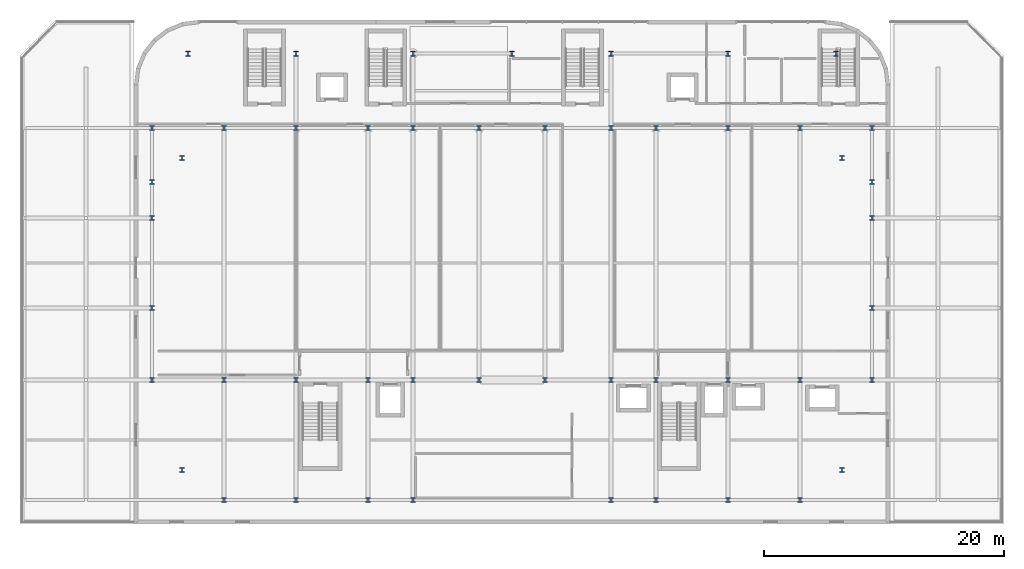
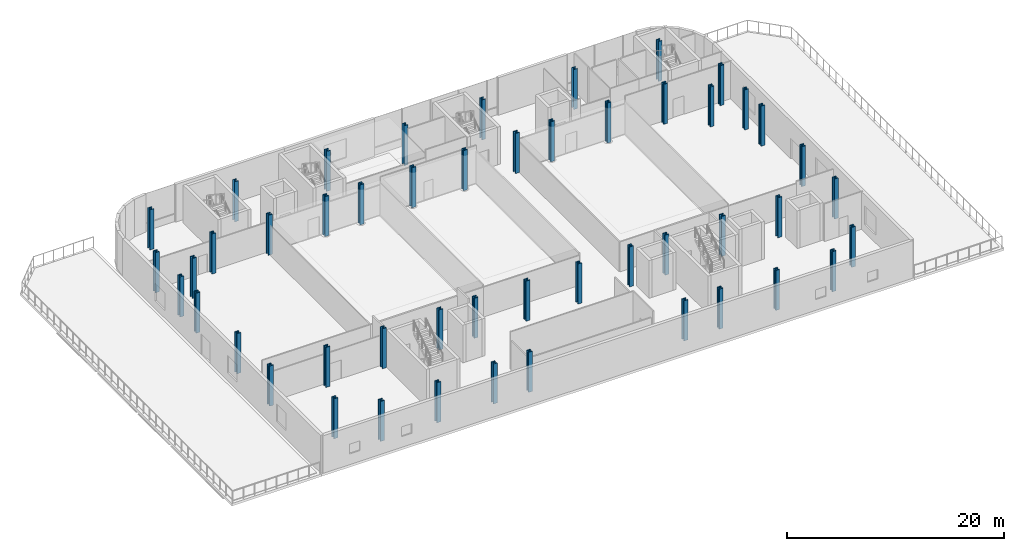
# One storey, part 1 of 26: 49 columns.
"""IFC4 building model written with IfcOpenShell, lengths in metres."""

from ifc_helpers import new_model, si_unit, direction, frame, origin, origin_2d, place, context, subcontext, project, spatial, i_section, extrude, material, material_profile, profile_set, type_object, element, save


model = new_model("IFC4")

# Units and contexts
model_context = context("Model", 3, precision=1e-05, world=origin(), true_north=direction((0.0, 1.0)))
body_context = subcontext(model_context, "Body", "Model", "MODEL_VIEW")
ifc_project = project(units=[si_unit("LENGTHUNIT", "METRE"), si_unit("AREAUNIT", "SQUARE_METRE"), si_unit("VOLUMEUNIT", "CUBIC_METRE"), si_unit("PLANEANGLEUNIT", "RADIAN"), si_unit("MASSUNIT", "GRAM", prefix="KILO")], contexts=[model_context])

# Site, building, storey
site_placement = place(None, origin())
site = spatial("IfcSite", under=ifc_project, at=site_placement, CompositionType="ELEMENT")
building_placement = place(site_placement, origin())
building = spatial("IfcBuilding", under=site, at=building_placement, Name="Brevholm Reach", CompositionType="ELEMENT")
storey_placement = place(building_placement, frame((0.0, 0.0, 18.0)))
storey = spatial("IfcBuildingStorey", under=building, at=storey_placement, Name="L04", CompositionType="ELEMENT", Elevation=18.0)

# Columns
ifc_material_1 = material(Name="Structural Steel S460ML", Category="steel")
ifc_material_profile_1 = material_profile(ifc_material_1, i_section(OverallWidth=0.4169921875, OverallDepth=0.430908203125, WebThickness=0.06494140625, FlangeThickness=0.10595703125, FilletRadius=0.014892578125, at=origin_2d()), Name="HD 400x900")
ifc_profile_set_1 = profile_set([ifc_material_profile_1], Name="Structural Steel S460ML")
column_type_1 = type_object("IfcColumnType", Name="COL-HD1B", PredefinedType="COLUMN", material=ifc_profile_set_1)
for number, where, z_axis, x_axis, name in (
    (1, (0.0, 10.0, 0.0), (0.0, 0.0, 1.0), (1.0, 0.0, 0.0), "L04 Column 01"),
    (2, (0.0, 16.0, 0.0), (0.0, 0.0, 1.0), (1.0, 0.0, 0.0), "L04 Column 02"),
    (3, (0.0, 23.5, 0.0), (0.0, 0.0, 1.0), (1.0, 0.0, 0.0), "L04 Column 03"),
    (4, (0.0, 26.5, 0.0), (0.0, 0.0, 1.0), (1.0, 0.0, 0.0), "L04 Column 04"),
    (5, (0.0, 31.0, 0.0), (0.0, 0.0, 1.0), (1.0, 0.0, 0.0), "L04 Column 05"),
    (6, (2.5, 2.5, 0.0), (0.0, 0.0, 1.0), (1.0, 0.0, 0.0), "L04 Column 06"),
    (7, (2.5, 28.5, 0.0), (0.0, 0.0, 1.0), (1.0, 0.0, 0.0), "L04 Column 07"),
    (8, (6.0, 0.0, 0.0), (0.0, 0.0, 1.0), (1.0, 0.0, 0.0), "L04 Column 09"),
    (9, (6.0, 10.0, 0.0), (0.0, 0.0, 1.0), (1.0, 0.0, 0.0), "L04 Column 10"),
    (10, (6.0, 31.0, 0.0), (0.0, 0.0, 1.0), (1.0, 0.0, 0.0), "L04 Column 11"),
    (11, (12.0, 0.0, 0.0), (0.0, 0.0, 1.0), (1.0, 0.0, 0.0), "L04 Column 12"),
    (12, (12.0, 10.0, 0.0), (0.0, 0.0, 1.0), (1.0, 0.0, 0.0), "L04 Column 13"),
    (13, (12.0, 31.0, 0.0), (0.0, 0.0, 1.0), (1.0, 0.0, 0.0), "L04 Column 14"),
    (14, (18.0, 0.0, 0.0), (0.0, 0.0, 1.0), (1.0, 0.0, 0.0), "L04 Column 16"),
    (15, (18.0, 10.0, 0.0), (0.0, 0.0, 1.0), (1.0, 0.0, 0.0), "L04 Column 17"),
    (16, (18.0, 31.0, 0.0), (0.0, 0.0, 1.0), (1.0, 0.0, 0.0), "L04 Column 18"),
    (17, (21.75, 0.0, 0.0), (0.0, 0.0, 1.0), (1.0, 0.0, 0.0), "L04 Column 19"),
    (18, (21.75, 10.0, 0.0), (0.0, 0.0, 1.0), (1.0, 0.0, 0.0), "L04 Column 20"),
    (19, (21.75, 31.0, 0.0), (0.0, 0.0, 1.0), (1.0, 0.0, 0.0), "L04 Column 21"),
    (20, (27.25, 10.0, 0.0), (0.0, 0.0, 1.0), (1.0, 0.0, 0.0), "L04 Column 23"),
    (21, (27.25, 31.0, 0.0), (0.0, 0.0, 1.0), (1.0, 0.0, 0.0), "L04 Column 24"),
    (22, (32.75, 10.0, 0.0), (0.0, 0.0, 1.0), (1.0, 0.0, 0.0), "L04 Column 26"),
    (23, (32.75, 31.0, 0.0), (0.0, 0.0, 1.0), (1.0, 0.0, 0.0), "L04 Column 27"),
    (24, (38.25, 0.0, 0.0), (0.0, 0.0, 1.0), (1.0, 0.0, 0.0), "L04 Column 28"),
    (25, (38.25, 10.0, 0.0), (0.0, 0.0, 1.0), (1.0, 0.0, 0.0), "L04 Column 29"),
    (26, (38.25, 31.0, 0.0), (0.0, 0.0, 1.0), (1.0, 0.0, 0.0), "L04 Column 30"),
    (27, (42.0, 0.0, 0.0), (0.0, 0.0, 1.0), (1.0, 0.0, 0.0), "L04 Column 32"),
    (28, (42.0, 10.0, 0.0), (0.0, 0.0, 1.0), (1.0, 0.0, 0.0), "L04 Column 33"),
    (29, (42.0, 31.0, 0.0), (0.0, 0.0, 1.0), (1.0, 0.0, 0.0), "L04 Column 34"),
    (30, (48.0, 0.0, 0.0), (0.0, 0.0, 1.0), (1.0, 0.0, 0.0), "L04 Column 35"),
    (31, (48.0, 10.0, 0.0), (0.0, 0.0, 1.0), (1.0, 0.0, 0.0), "L04 Column 36"),
    (32, (48.0, 31.0, 0.0), (0.0, 0.0, 1.0), (1.0, 0.0, 0.0), "L04 Column 37"),
    (33, (54.0, 0.0, 0.0), (0.0, 0.0, 1.0), (1.0, 0.0, 0.0), "L04 Column 39"),
    (34, (54.0, 10.0, 0.0), (0.0, 0.0, 1.0), (1.0, 0.0, 0.0), "L04 Column 40"),
    (35, (54.0, 31.0, 0.0), (0.0, 0.0, 1.0), (1.0, 0.0, 0.0), "L04 Column 41"),
    (36, (57.5, 2.5, 0.0), (0.0, 0.0, 1.0), (1.0, 0.0, 0.0), "L04 Column 43"),
    (37, (57.5, 28.5, 0.0), (0.0, 0.0, 1.0), (1.0, 0.0, 0.0), "L04 Column 44"),
    (38, (60.0, 10.0, 0.0), (0.0, 0.0, 1.0), (1.0, 0.0, 0.0), "L04 Column 45"),
    (39, (60.0, 16.0, 0.0), (0.0, 0.0, 1.0), (1.0, 0.0, 0.0), "L04 Column 46"),
    (40, (60.0, 23.5, 0.0), (0.0, 0.0, 1.0), (1.0, 0.0, 0.0), "L04 Column 47"),
    (41, (60.0, 26.5, 0.0), (0.0, 0.0, 1.0), (1.0, 0.0, 0.0), "L04 Column 48"),
    (42, (60.0, 31.0, 0.0), (0.0, 0.0, 1.0), (1.0, 0.0, 0.0), "L04 Column 49"),
):
    element("IfcColumn", number, at=place(storey_placement, frame(where, z_axis=z_axis, x_axis=x_axis)), inside=storey, type_object=column_type_1, Name=name, PredefinedType="COLUMN", context=body_context, shape_type="SweptSolid", body=[
        extrude(i_section(OverallWidth=0.4169921875, OverallDepth=0.430908203125, WebThickness=0.06494140625, FlangeThickness=0.10595703125, FilletRadius=0.014892578125, at=origin_2d()), origin(), (0.0, 0.0, 1.0), 4.5),
    ])
ifc_material_2 = material(Name="Structural Steel S355J2", Category="steel")
ifc_material_profile_2 = material_profile(ifc_material_2, i_section(OverallWidth=0.406982421875, OverallDepth=0.4189453125, WebThickness=0.030517578125, FlangeThickness=0.04931640625, FilletRadius=0.01513671875, at=origin_2d()), Name="UKC 356x406x393")
ifc_profile_set_2 = profile_set([ifc_material_profile_2], Name="Structural Steel S355J2")
column_type_2 = type_object("IfcColumnType", Name="COL-UC4", PredefinedType="COLUMN", material=ifc_profile_set_2)
for number, where, z_axis, x_axis, name in (
    (43, (3.0, 37.199951171875, 0.0), (0.0, 0.0, 1.0), (1.0, 0.0, 0.0), "L04 Column 08"),
    (44, (12.0, 37.199951171875, 0.0), (0.0, 0.0, 1.0), (1.0, 0.0, 0.0), "L04 Column 15"),
    (45, (21.75, 37.199951171875, 0.0), (0.0, 0.0, 1.0), (1.0, 0.0, 0.0), "L04 Column 22"),
    (46, (30.0, 37.199951171875, 0.0), (0.0, 0.0, 1.0), (1.0, 0.0, 0.0), "L04 Column 25"),
    (47, (38.25, 37.199951171875, 0.0), (0.0, 0.0, 1.0), (1.0, 0.0, 0.0), "L04 Column 31"),
    (48, (48.0, 37.199951171875, 0.0), (0.0, 0.0, 1.0), (1.0, 0.0, 0.0), "L04 Column 38"),
    (49, (57.0, 37.199951171875, 0.0), (0.0, 0.0, 1.0), (1.0, 0.0, 0.0), "L04 Column 42"),
):
    element("IfcColumn", number, at=place(storey_placement, frame(where, z_axis=z_axis, x_axis=x_axis)), inside=storey, type_object=column_type_2, Name=name, PredefinedType="COLUMN", context=body_context, shape_type="SweptSolid", body=[
        extrude(i_section(OverallWidth=0.406982421875, OverallDepth=0.4189453125, WebThickness=0.030517578125, FlangeThickness=0.04931640625, FilletRadius=0.01513671875, at=origin_2d()), origin(), (0.0, 0.0, 1.0), 4.5),
    ])

save(model, "model.ifc")
